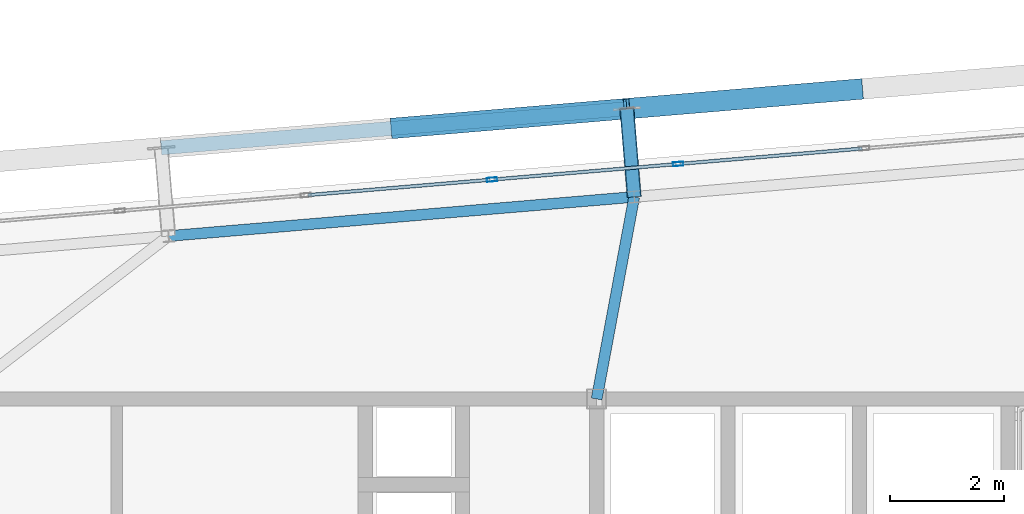
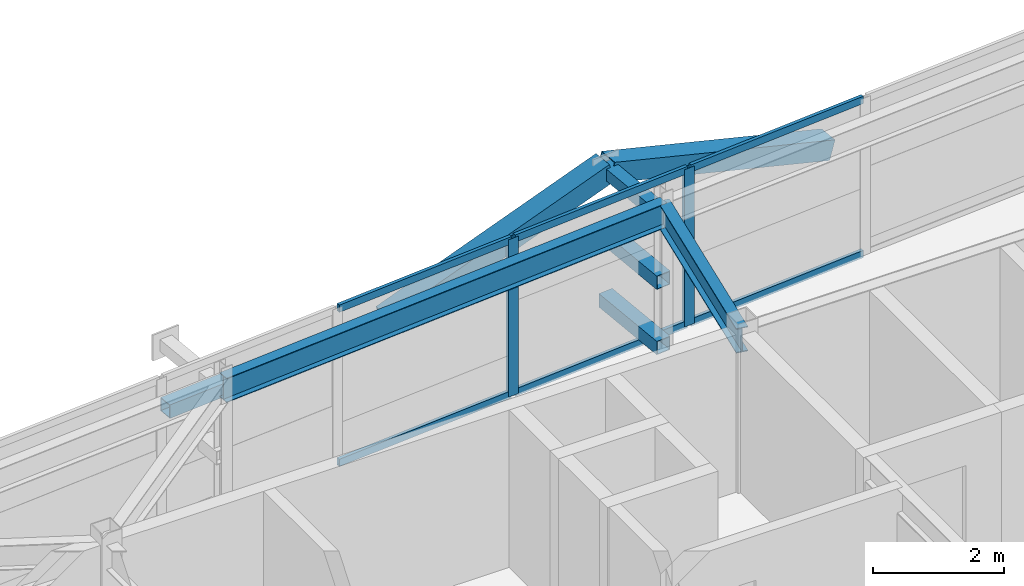
# One storey, part 29 of 44: 14 members, 2 beams, 1 element without a shape of its own.
"""IFC4 building model written with IfcOpenShell, lengths in metres."""

from ifc_helpers import new_model, si_unit, direction, frame, origin, origin_2d, place, context, subcontext, project, spatial, hollow_rectangle, i_section, extrude, source, transform, mapped, material, layer, layer_set, material_profile, profile_set, type_object, element, aggregate, save


model = new_model("IFC4")

# Units and contexts
model_context = context("Model", 3, precision=1e-05, world=origin(), true_north=direction((0.0, 1.0)))
body_context = subcontext(model_context, "Body", "Model", "MODEL_VIEW")
ifc_project = project(units=[si_unit("LENGTHUNIT", "METRE"), si_unit("AREAUNIT", "SQUARE_METRE"), si_unit("VOLUMEUNIT", "CUBIC_METRE"), si_unit("PLANEANGLEUNIT", "RADIAN"), si_unit("MASSUNIT", "GRAM", prefix="KILO")], contexts=[model_context])

# Site, building, storey
site_placement = place(None, origin())
site = spatial("IfcSite", under=ifc_project, at=site_placement, CompositionType="ELEMENT")
building_placement = place(site_placement, origin())
building = spatial("IfcBuilding", under=site, at=building_placement, Name="Taldren Reach Tower", CompositionType="ELEMENT")
storey_placement = place(building_placement, frame((0.0, 0.0, 191.449951171875)))
storey = spatial("IfcBuildingStorey", under=building, at=storey_placement, Name="L58", CompositionType="ELEMENT", Elevation=191.449951171875)

# Members
ifc_material_1 = material(Name="Steel Gr 350 (C350L0)", Category="steel")
ifc_material_profile_1 = material_profile(ifc_material_1, hollow_rectangle(XDim=0.25, YDim=0.25, WallThickness=0.010009765625, at=origin_2d()), Name="250x250x10.0SHS")
ifc_profile_set_1 = profile_set([ifc_material_profile_1], Name="Steel Gr 350 (C350L0)")
member_type_1 = type_object("IfcMemberType", Name="MB-POST250", PredefinedType="POST", material=ifc_profile_set_1)
shared_shape_1 = source(origin(), body_context, "Body", "SweptSolid", [
    extrude(hollow_rectangle(XDim=0.25, YDim=0.25, WallThickness=0.010009765625, at=origin_2d()), origin(), (0.0, 0.0, 1.0), 1.5498046875),
])
for number, where, z_axis, x_axis, name in (
    (1, (39.857666015625, 35.537109375, 0.219970703125), (-0.083645141657, 0.996495604746, 0.0), (-0.996495604746, -0.083645141657, 0.0), "Exoskeleton base diaphragm tie strut B4-N4 L58"),
    (2, (39.857666015625, 35.537109375, 1.43505859375), (-0.083645141657, 0.996495604746, 0.0), (-0.996495604746, -0.083645141657, 0.0), "Exoskeleton mid-tier diaphragm tie B4-N4 L58"),
):
    element("IfcMember", number, at=place(storey_placement, frame(where, z_axis=z_axis, x_axis=x_axis)), inside=storey, type_object=member_type_1, Name=name, PredefinedType="POST", context=body_context, shape_type="MappedRepresentation", body=[
        mapped(shared_shape_1, transform((0.0, 0.0, 0.0), scale=1.0)),
    ])

# Beams
ifc_material_2 = material(Name="Steel Gr 350 (350PLUS)", Category="steel")
ifc_material_profile_2 = material_profile(ifc_material_2, i_section(OverallWidth=0.18994140625, OverallDepth=0.4541015625, WebThickness=0.008544921875, FlangeThickness=0.0126953125, at=origin_2d()), Name="460UB67.1")
ifc_profile_set_2 = profile_set([ifc_material_profile_2], Name="Steel Gr 350 (350PLUS)")
beam_type_1 = type_object("IfcBeamType", Name="SP-UB460B", PredefinedType="SPANDREL", material=ifc_profile_set_2)
shared_shape_2 = source(origin(), body_context, "Body", "SweptSolid", [
    extrude(i_section(OverallWidth=0.18994140625, OverallDepth=0.4541015625, WebThickness=0.008544921875, FlangeThickness=0.0126953125, at=origin_2d()), origin(), (0.0, 0.0, 1.0), 8.18017578125),
])
beam_1_placement = place(storey_placement, frame((39.857666015625, 35.537109375, 2.703125), z_axis=(-0.996492034688, -0.083687662192, 0.0), x_axis=(0.083687662192, -0.996492034688, 0.0)))
element("IfcBeam", 3, at=beam_1_placement, inside=storey, type_object=beam_type_1, Name="Perimeter spandrel B4 N4-N3 L58", PredefinedType="SPANDREL", context=body_context, shape_type="MappedRepresentation", body=[
    mapped(shared_shape_2, transform((0.0, 0.0, 0.0), scale=1.0)),
])
ifc_material_profile_3 = material_profile(ifc_material_2, i_section(OverallWidth=0.19091796875, OverallDepth=0.4599609375, WebThickness=0.010009765625, FlangeThickness=0.01611328125, at=origin_2d()), Name="460UB82.1")
ifc_profile_set_3 = profile_set([ifc_material_profile_3], Name="Steel Gr 350 (350PLUS)")
beam_type_2 = type_object("IfcBeamType", Name="BM-UB460A", PredefinedType="BEAM", material=ifc_profile_set_3)
shared_shape_3 = source(origin(), body_context, "Body", "SweptSolid", [
    extrude(i_section(OverallWidth=0.19091796875, OverallDepth=0.4599609375, WebThickness=0.010009765625, FlangeThickness=0.01611328125, at=origin_2d()), origin(), (0.0, 0.0, 1.0), 3.59765625),
])
beam_2_placement = place(storey_placement, frame((39.199951171875, 32.0, 2.699951171875), z_axis=(0.182813344882, 0.983147639438, 0.0), x_axis=(-0.983147639438, 0.182813344882, 0.0)))
element("IfcBeam", 4, at=beam_2_placement, inside=storey, type_object=beam_type_2, Name="Primary floor girder B4-N4 L58", PredefinedType="BEAM", context=body_context, shape_type="MappedRepresentation", body=[
    mapped(shared_shape_3, transform((0.0, 0.0, 0.0), scale=1.0)),
])

# Members
ifc_material_3 = material(Name="Steel Gr 450 (C450L0)", Category="steel")
ifc_material_profile_4 = material_profile(ifc_material_3, hollow_rectangle(XDim=0.219970703125, YDim=0.219970703125, WallThickness=0.00830078125, at=origin_2d()), Name="220x220x8.2SHS")
ifc_profile_set_4 = profile_set([ifc_material_profile_4], Name="Steel Gr 450 (C450L0)")
member_type_2 = type_object("IfcMemberType", Name="MB-TIE219", PredefinedType="STRUT", material=ifc_profile_set_4)
shared_shape_4 = source(origin(), body_context, "Body", "SweptSolid", [
    extrude(hollow_rectangle(XDim=0.219970703125, YDim=0.219970703125, WallThickness=0.00830078125, at=origin_2d()), origin(), (0.0, 0.0, 1.0), 1.5498046875),
])
member_1_placement = place(storey_placement, frame((39.857666015625, 35.537109375, 2.650146484375), z_axis=(-0.083645141657, 0.996495604746, 0.0), x_axis=(-0.996495604746, -0.083645141657, 0.0)))
element("IfcMember", 5, at=member_1_placement, inside=storey, type_object=member_type_2, Name="Exoskeleton diaphragm tie strut B4-N4 L58", PredefinedType="STRUT", context=body_context, shape_type="MappedRepresentation", body=[
    mapped(shared_shape_4, transform((0.0, 0.0, 0.0), scale=1.0)),
])
shared_shape_5 = source(origin(), body_context, "Body", "SweptSolid", [
    extrude(hollow_rectangle(XDim=0.25, YDim=0.25, WallThickness=0.010009765625, at=origin_2d()), origin(), (0.0, 0.0, 1.0), 8.18017578125),
])
member_2_placement = place(storey_placement, frame((31.57666015625, 36.39697265625, 1.43505859375), z_axis=(0.996492034688, 0.083687662192, 0.0), x_axis=(-0.083687662192, 0.996492034688, 0.0)))
element("IfcMember", 6, at=member_2_placement, inside=storey, type_object=member_type_1, Name="Exoskeleton mid-height ring chord B4-N3 L58", PredefinedType="POST", context=body_context, shape_type="MappedRepresentation", body=[
    mapped(shared_shape_5, transform((0.0, 0.0, 0.0), scale=1.0)),
])
ifc_material_profile_5 = material_profile(ifc_material_3, hollow_rectangle(XDim=0.360107421875, YDim=0.360107421875, WallThickness=0.0126953125, at=origin_2d()), Name="360x360x12.7SHS")
ifc_profile_set_5 = profile_set([ifc_material_profile_5], Name="Steel Gr 450 (C450L0)")
member_type_3 = type_object("IfcMemberType", Name="MB-EXO356", PredefinedType="BRACE", material=ifc_profile_set_5)
shared_shape_6 = source(origin(), body_context, "Body", "SweptSolid", [
    extrude(hollow_rectangle(XDim=0.360107421875, YDim=0.360107421875, WallThickness=0.0126953125, at=origin_2d()), origin(), (0.0, 0.0, 1.0), 4.2666015625),
])
for number, where, z_axis, x_axis, name in (
    (7, (35.65234375, 36.7392578125, 1.43505859375), (0.955229159097, 0.080222312271, 0.284783486572), (-0.083687662192, 0.996492034688, 0.0), "Exoskeleton Diagrid Brace B4-N3 L58"),
    (8, (43.8037109375, 37.423828125, 1.43505859375), (-0.955229159097, -0.080222312271, 0.284783486572), (0.083687662192, -0.996492034688, 0.0), "Exoskeleton Diagrid Brace B4-N4 L58"),
):
    element("IfcMember", number, at=place(storey_placement, frame(where, z_axis=z_axis, x_axis=x_axis)), inside=storey, type_object=member_type_3, Name=name, PredefinedType="BRACE", context=body_context, shape_type="MappedRepresentation", body=[
        mapped(shared_shape_6, transform((0.0, 0.0, 0.0), scale=1.0)),
    ])

# Curtain wall, members
ifc_material_4 = material(Name="Aluminium and Low-E Glass Unitised System", Category="aluminium")
ifc_layer = layer(ifc_material_4, 0.159912109375)
ifc_layer_set = layer_set([ifc_layer], Name="Aluminium and Low-E Glass Unitised System")
curtain_wall_type = type_object("IfcCurtainWallType", Name="CW-SYS-5", PredefinedType="NOTDEFINED", material=ifc_layer_set)
curtain_wall_placement = place(storey_placement, origin())
curtain_wall = element("IfcCurtainWall", 9, at=curtain_wall_placement, inside=storey, type_object=curtain_wall_type, Name="Unitised curtain wall CW-L58-N", PredefinedType="NOTDEFINED")
ifc_material_5 = material(Name="Anodised Aluminium 6063-T6", Category="aluminium")
ifc_material_profile_6 = material_profile(ifc_material_5, hollow_rectangle(XDim=0.070068359375, YDim=0.179931640625, WallThickness=0.00390625, at=origin_2d()), Name="ALU-180x70x4RHS")
ifc_profile_set_6 = profile_set([ifc_material_profile_6], Name="Anodised Aluminium 6063-T6")
member_type_4 = type_object("IfcMemberType", Name="CW-MUL-180", PredefinedType="MULLION", material=ifc_profile_set_6)
shared_shape_7 = source(origin(), body_context, "Body", "SweptSolid", [
    extrude(hollow_rectangle(XDim=0.070068359375, YDim=0.179931640625, WallThickness=0.00390625, at=origin_2d()), origin(), (0.0, 0.0, 1.0), 2.929931640625),
])
member_3_placement = place(storey_placement, frame((40.6259765625, 36.11328125, 0.0), z_axis=(0.0, 0.0, 1.0), x_axis=(0.083677875247, -0.99649285657, 0.0)))
member_3 = element("IfcMember", 10, at=member_3_placement, type_object=member_type_4, Name="CW-5 mullion 6", PredefinedType="MULLION", context=body_context, shape_type="MappedRepresentation", body=[
    mapped(shared_shape_7, transform((0.0, 0.0, 0.0), scale=1.0)),
])
member_4_placement = place(storey_placement, frame((37.3681640625, 35.83984375, 0.0), z_axis=(0.0, 0.0, 1.0), x_axis=(0.083677875247, -0.99649285657, 0.0)))
member_4 = element("IfcMember", 11, at=member_4_placement, type_object=member_type_4, Name="CW-5 mullion 7", PredefinedType="MULLION", context=body_context, shape_type="MappedRepresentation", body=[
    mapped(shared_shape_7, transform((0.0, 0.0, 0.0), scale=1.0)),
])
ifc_material_profile_7 = material_profile(ifc_material_5, hollow_rectangle(XDim=0.06005859375, YDim=0.135009765625, WallThickness=0.00341796875, at=origin_2d()), Name="ALU-135x60x3.5RHS")
ifc_profile_set_7 = profile_set([ifc_material_profile_7], Name="Anodised Aluminium 6063-T6")
member_type_5 = type_object("IfcMemberType", Name="CW-TRN-150", PredefinedType="USERDEFINED", material=ifc_profile_set_7)
shared_shape_8 = source(origin(), body_context, "Body", "SweptSolid", [
    extrude(hollow_rectangle(XDim=0.06005859375, YDim=0.135009765625, WallThickness=0.00341796875, at=origin_2d()), origin(), (0.0, 0.0, 1.0), 3.19921875),
])
member_5_placement = place(storey_placement, frame((43.848876953125, 36.384033203125, 0.030029296875), z_axis=(-0.996489746258, -0.083714906697, 0.0), x_axis=(0.083714906697, -0.996489746258, 0.0)))
member_5 = element("IfcMember", 12, at=member_5_placement, type_object=member_type_5, Name="CW-5 transom 5.1", ObjectType="TRANSOM", PredefinedType="USERDEFINED", context=body_context, shape_type="MappedRepresentation", body=[
    mapped(shared_shape_8, transform((0.0, 0.0, 0.0), scale=1.0)),
])
member_6_placement = place(storey_placement, frame((43.848876953125, 36.384033203125, 2.900146484375), z_axis=(-0.996489746258, -0.083714906697, 0.0), x_axis=(0.083714906697, -0.996489746258, 0.0)))
member_6 = element("IfcMember", 13, at=member_6_placement, type_object=member_type_5, Name="CW-5 transom 5.2", ObjectType="TRANSOM", PredefinedType="USERDEFINED", context=body_context, shape_type="MappedRepresentation", body=[
    mapped(shared_shape_8, transform((0.0, 0.0, 0.0), scale=1.0)),
])
member_7_placement = place(storey_placement, frame((40.591064453125, 36.1103515625, 0.030029296875), z_axis=(-0.996496109493, -0.083639128198, 0.0), x_axis=(0.083639128198, -0.996496109493, 0.0)))
member_7 = element("IfcMember", 14, at=member_7_placement, type_object=member_type_5, Name="CW-5 transom 6.1", ObjectType="TRANSOM", PredefinedType="USERDEFINED", context=body_context, shape_type="MappedRepresentation", body=[
    mapped(shared_shape_8, transform((0.0, 0.0, 0.0), scale=1.0)),
])
member_8_placement = place(storey_placement, frame((40.591064453125, 36.1103515625, 2.900146484375), z_axis=(-0.996496109493, -0.083639128198, 0.0), x_axis=(0.083639128198, -0.996496109493, 0.0)))
member_8 = element("IfcMember", 15, at=member_8_placement, type_object=member_type_5, Name="CW-5 transom 6.2", ObjectType="TRANSOM", PredefinedType="USERDEFINED", context=body_context, shape_type="MappedRepresentation", body=[
    mapped(shared_shape_8, transform((0.0, 0.0, 0.0), scale=1.0)),
])
member_9_placement = place(storey_placement, frame((37.33349609375, 35.8369140625, 0.030029296875), z_axis=(-0.996489746258, -0.083714906697, 0.0), x_axis=(0.083714906697, -0.996489746258, 0.0)))
member_9 = element("IfcMember", 16, at=member_9_placement, type_object=member_type_5, Name="CW-5 transom 7.1", ObjectType="TRANSOM", PredefinedType="USERDEFINED", context=body_context, shape_type="MappedRepresentation", body=[
    mapped(shared_shape_8, transform((0.0, 0.0, 0.0), scale=1.0)),
])
member_10_placement = place(storey_placement, frame((37.33349609375, 35.8369140625, 2.900146484375), z_axis=(-0.996489746258, -0.083714906697, 0.0), x_axis=(0.083714906697, -0.996489746258, 0.0)))
member_10 = element("IfcMember", 17, at=member_10_placement, type_object=member_type_5, Name="CW-5 transom 7.2", ObjectType="TRANSOM", PredefinedType="USERDEFINED", context=body_context, shape_type="MappedRepresentation", body=[
    mapped(shared_shape_8, transform((0.0, 0.0, 0.0), scale=1.0)),
])
aggregate(curtain_wall, [member_3, member_4, member_5, member_6, member_7, member_8, member_9, member_10])

save(model, "model.ifc")
